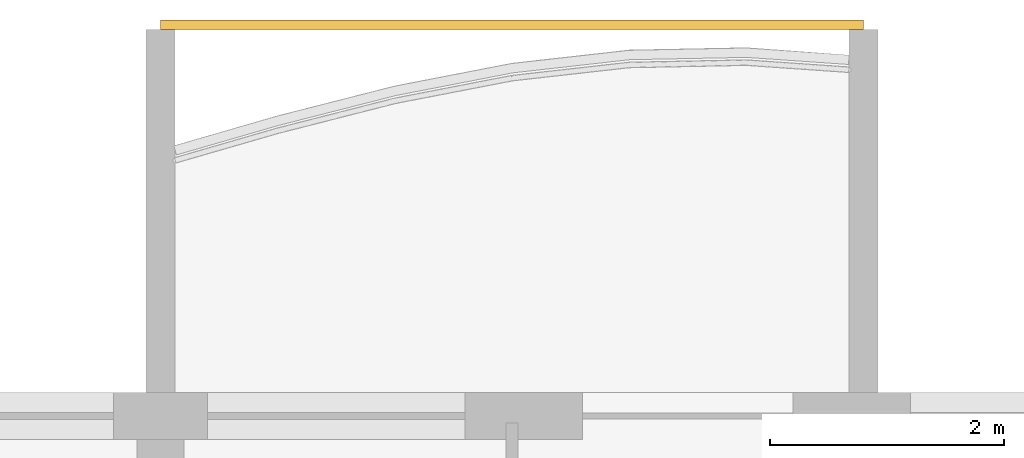
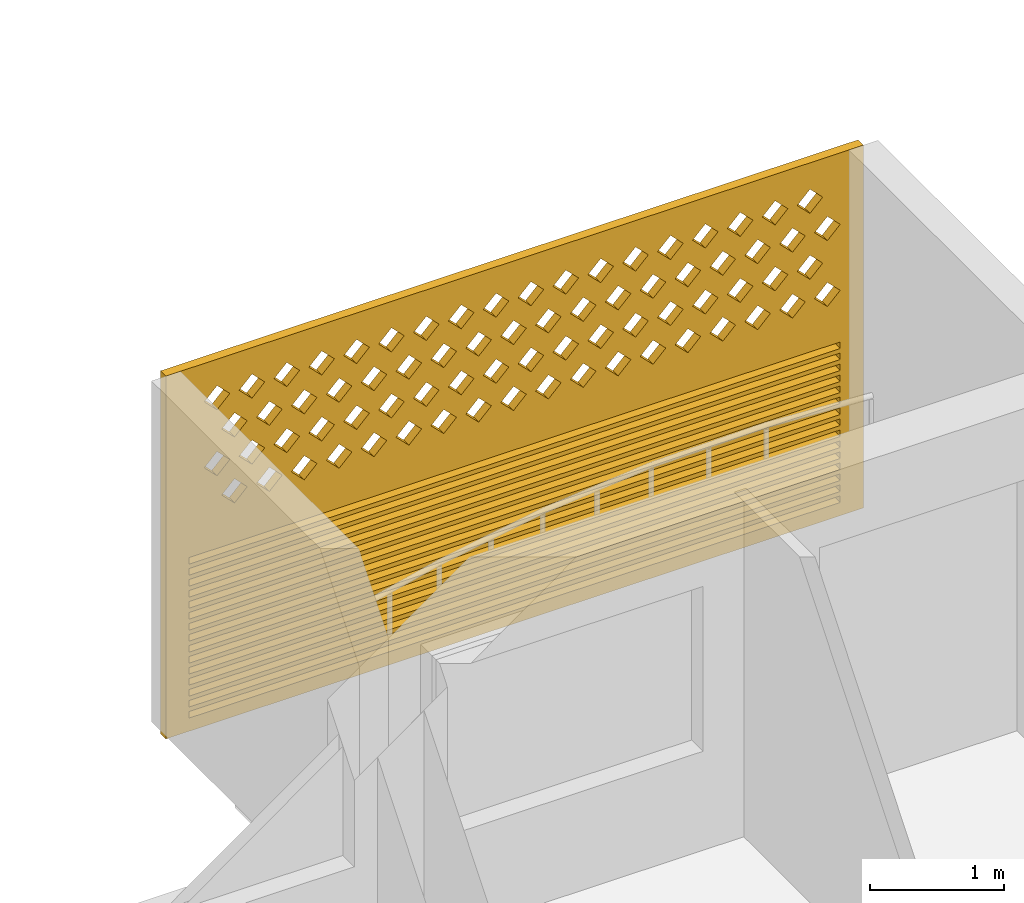
# One storey, part 25 of 40: 1 covering.
"""IFC4 building model written with IfcOpenShell, lengths in metres."""

import ifcopenshell
import ifcopenshell.guid

model = None  # the IFC model being written
_history = None  # IfcOwnerHistory: only IFC2X3 demands one
_inside = {}  # id of a spatial element -> (the spatial element, [elements in it])
_under = {}  # id of a project, library or spatial element -> (it, [spatial elements below it])
_declared = {}  # id of a project -> (the project, [libraries it declares])
_typed = {}  # id of a type object -> (the type object, [elements of that type])
_made_of = {}  # id of a material, layer set ... -> (it, [elements and type objects made of it])


def new_model(schema):
    """Start an empty IFC model of exactly this schema.

    Asked for "IFC4X3", IfcOpenShell would pick the latest addendum, in which some entities
    have other attributes; the version numbers below select the first issue.
    IFC2X3 requires an IfcOwnerHistory on every rooted entity: one is made here for all.
    """
    global model, _history
    if schema == "IFC4X3":
        model = ifcopenshell.file(schema_version=(4, 3, 0, 0))
    else:
        model = ifcopenshell.file(schema=schema)
    _inside.clear()
    _under.clear()
    _declared.clear()
    _typed.clear()
    _made_of.clear()
    _history = None
    if model.schema == "IFC2X3":
        org = make("IfcOrganization", Name="unknown")
        user = make(
            "IfcPersonAndOrganization",
            ThePerson=make("IfcPerson", FamilyName="unknown"),
            TheOrganization=org,
        )
        app = make(
            "IfcApplication",
            ApplicationDeveloper=org,
            Version="unknown",
            ApplicationFullName="unknown",
            ApplicationIdentifier="unknown",
        )
        _history = make(
            "IfcOwnerHistory",
            OwningUser=user,
            OwningApplication=app,
            ChangeAction="ADDED",
            CreationDate=0,
        )
    return model


def make(cls, **values):
    """One entity of the class cls with the attributes given. An attribute that is None is left unset."""
    return model.create_entity(
        cls, **{name: value for name, value in values.items() if value is not None}
    )


def rooted(cls, **values):
    """An entity with a GlobalId (a new one), such as an element, a storey or a relation."""
    return make(cls, GlobalId=ifcopenshell.guid.new(), OwnerHistory=_history, **values)


def si_unit(unit_type, name, prefix=None):
    """IfcSIUnit, for example si_unit("LENGTHUNIT", "METRE", prefix="MILLI")."""
    return make("IfcSIUnit", UnitType=unit_type, Prefix=prefix, Name=name)


def assignment(units):
    """IfcUnitAssignment: the units of a project."""
    return None if units is None else make("IfcUnitAssignment", Units=units)


def point(xyz):
    """IfcCartesianPoint."""
    return None if xyz is None else make("IfcCartesianPoint", Coordinates=xyz)


def direction(xyz):
    """IfcDirection."""
    return None if xyz is None else make("IfcDirection", DirectionRatios=xyz)


def frame(location, z_axis=None, x_axis=None):
    """IfcAxis2Placement3D, a coordinate frame: its origin and axes. An axis left out is left unset."""
    return make(
        "IfcAxis2Placement3D",
        Location=point(location),
        Axis=direction(z_axis),
        RefDirection=direction(x_axis),
    )


def origin():
    """The frame at (0, 0, 0) with its axes left unset."""
    return frame((0.0, 0.0, 0.0))


def place(relative_to, where):
    """IfcLocalPlacement: puts the frame where relative to a parent placement (None: the world)."""
    return make(
        "IfcLocalPlacement", PlacementRelTo=relative_to, RelativePlacement=where
    )


def context(
    kind, dimensions, precision=None, world=None, true_north=None, identifier=None
):
    """IfcGeometricRepresentationContext, for example the 3D "Model" context."""
    return make(
        "IfcGeometricRepresentationContext",
        ContextIdentifier=identifier,
        ContextType=kind,
        CoordinateSpaceDimension=dimensions,
        Precision=precision,
        WorldCoordinateSystem=world,
        TrueNorth=true_north,
    )


def subcontext(parent, identifier, kind, view, scale=None):
    """IfcGeometricRepresentationSubContext, for example "Body" below "Model"."""
    return make(
        "IfcGeometricRepresentationSubContext",
        ContextIdentifier=identifier,
        ContextType=kind,
        ParentContext=parent,
        TargetScale=scale,
        TargetView=view,
    )


def project(units=None, contexts=None):
    """IfcProject with its units and contexts."""
    return rooted(
        "IfcProject",
        Name="project",
        RepresentationContexts=contexts,
        UnitsInContext=assignment(units),
    )


def spatial(cls, under=None, at=None, **own):
    """A site, building, storey or space (cls), placed at a placement, below another one or the project."""
    s = rooted(cls, ObjectPlacement=at, **own)
    if under is not None:
        _under.setdefault(under.id(), (under, []))[1].append(s)
    return s


def polyline(points):
    """IfcPolyline through the points."""
    return make("IfcPolyline", Points=[point(p) for p in points])


def outline(outer, holes=None, kind="AREA"):
    """IfcArbitraryClosedProfileDef: a profile drawn as a closed curve; with holes, ...WithVoids."""
    if holes is None:
        return make("IfcArbitraryClosedProfileDef", ProfileType=kind, OuterCurve=outer)
    return make(
        "IfcArbitraryProfileDefWithVoids",
        ProfileType=kind,
        OuterCurve=outer,
        InnerCurves=holes,
    )


def extrude(swept, where, along, depth):
    """IfcExtrudedAreaSolid: the profile swept, set in the frame where, extruded along a direction by depth."""
    return make(
        "IfcExtrudedAreaSolid",
        SweptArea=swept,
        Position=where,
        ExtrudedDirection=direction(along),
        Depth=depth,
    )


def shape(context_of_items, identifier, shape_type, items):
    """IfcShapeRepresentation: the items that make up one representation, for example the "Body"."""
    return make(
        "IfcShapeRepresentation",
        ContextOfItems=context_of_items,
        RepresentationIdentifier=identifier,
        RepresentationType=shape_type,
        Items=items,
    )


def source(mapping_origin, context_of_items, identifier, shape_type, items):
    """IfcRepresentationMap: a shape defined once, which mapped items show again and again."""
    return make(
        "IfcRepresentationMap",
        MappingOrigin=mapping_origin,
        MappedRepresentation=shape(context_of_items, identifier, shape_type, items),
    )


def transform(
    local_origin,
    x_axis=None,
    y_axis=None,
    z_axis=None,
    scale=None,
    scale2=None,
    scale3=None,
    uniform=True,
):
    """IfcCartesianTransformationOperator3D, or its non-uniform kind. x_axis, y_axis, z_axis: its Axis1, 2, 3."""
    if uniform:
        return make(
            "IfcCartesianTransformationOperator3D",
            Axis1=direction(x_axis),
            Axis2=direction(y_axis),
            LocalOrigin=point(local_origin),
            Scale=scale,
            Axis3=direction(z_axis),
        )
    return make(
        "IfcCartesianTransformationOperator3DnonUniform",
        Axis1=direction(x_axis),
        Axis2=direction(y_axis),
        LocalOrigin=point(local_origin),
        Scale=scale,
        Axis3=direction(z_axis),
        Scale2=scale2,
        Scale3=scale3,
    )


def mapped(mapping_source, mapping_target):
    """IfcMappedItem: shows the shape of a source again, moved by a transform."""
    return make(
        "IfcMappedItem", MappingSource=mapping_source, MappingTarget=mapping_target
    )


def material(Name=None, Category=None):
    """IfcMaterial."""
    return make("IfcMaterial", Name=Name, Category=Category)


def material_profile(
    of_material, cross_section, Name=None, Category=None, Priority=None
):
    """IfcMaterialProfile: a cross section and its material."""
    return make(
        "IfcMaterialProfile",
        Name=Name,
        Material=of_material,
        Profile=cross_section,
        Priority=Priority,
        Category=Category,
    )


def profile_set(profiles, Name=None, composite=None):
    """IfcMaterialProfileSet."""
    return make(
        "IfcMaterialProfileSet",
        Name=Name,
        MaterialProfiles=profiles,
        CompositeProfile=composite,
    )


def made_of(thing, what):
    """Note that an element or type object is made of a material, layer set ...; save() writes the relation."""
    if what is not None:
        _made_of.setdefault(what.id(), (what, []))[1].append(thing)
    return thing


def type_object(cls, material=None, **own):
    """A type object (cls), such as IfcWallType, which elements share."""
    return made_of(rooted(cls, **own), material)


def element(
    cls,
    number,
    at=None,
    inside=None,
    cuts=None,
    type_object=None,
    material=None,
    context=None,
    identifier="Body",
    shape_type=None,
    held_by="IfcProductDefinitionShape",
    body=None,
    shapes=None,
    **own,
):
    """One element of the class cls, such as IfcWall. Its Tag is "e" and its number.

    at: its placement. inside: the storey or other place that contains it. cuts: it is an
    opening in that element (IfcRelVoidsElement). A single representation is given by context,
    identifier, shape_type and body (its items); several are given by shapes. held_by: the class
    of the entity that holds the representations. save() writes the other relations.
    """
    e = rooted(cls, Tag="e%d" % number, ObjectPlacement=at, **own)
    if body is not None:
        shapes = [shape(context, identifier, shape_type, body)]
    if shapes is not None:
        e.Representation = make(held_by, Representations=shapes)
    if inside is not None:
        _inside.setdefault(inside.id(), (inside, []))[1].append(e)
    if cuts is not None:
        rooted(
            "IfcRelVoidsElement", RelatingBuildingElement=cuts, RelatedOpeningElement=e
        )
    if type_object is not None:
        _typed.setdefault(type_object.id(), (type_object, []))[1].append(e)
    return made_of(e, material)


def aggregate(whole, parts):
    """IfcRelAggregates: a whole, such as a stair, and the parts it consists of."""
    return rooted("IfcRelAggregates", RelatingObject=whole, RelatedObjects=parts)


def save(model, path):
    """Write the relations noted so far, then the file.

    IfcRelAggregates (storeys below a building ...), IfcRelContainedInSpatialStructure (elements
    in a storey), IfcRelDefinesByType, IfcRelAssociatesMaterial and IfcRelDeclares: one each for
    every whole, place, type object, material and project.
    """
    for whole, parts in _under.values():
        aggregate(whole, parts)
    for where, things in _inside.values():
        rooted(
            "IfcRelContainedInSpatialStructure",
            RelatedElements=things,
            RelatingStructure=where,
        )
    for kind, things in _typed.values():
        rooted("IfcRelDefinesByType", RelatedObjects=things, RelatingType=kind)
    for what, things in _made_of.values():
        rooted("IfcRelAssociatesMaterial", RelatedObjects=things, RelatingMaterial=what)
    for by, libraries in _declared.values():
        rooted("IfcRelDeclares", RelatingContext=by, RelatedDefinitions=libraries)
    model.write(path)


model = new_model("IFC4")

# Units and contexts
model_context = context("Model", 3, precision=1e-05, world=origin(), true_north=direction((0.0, 1.0)))
body_context = subcontext(model_context, "Body", "Model", "MODEL_VIEW")
ifc_project = project(units=[si_unit("LENGTHUNIT", "METRE"), si_unit("AREAUNIT", "SQUARE_METRE"), si_unit("VOLUMEUNIT", "CUBIC_METRE"), si_unit("PLANEANGLEUNIT", "RADIAN"), si_unit("MASSUNIT", "GRAM", prefix="KILO")], contexts=[model_context])

# Site, building, storey
site_placement = place(None, origin())
site = spatial("IfcSite", under=ifc_project, at=site_placement, CompositionType="ELEMENT")
building_placement = place(site_placement, origin())
building = spatial("IfcBuilding", under=site, at=building_placement, Name="Poui Terraces", CompositionType="ELEMENT")
storey_placement = place(building_placement, frame((0.0, 0.0, 36.60009765625)))
storey = spatial("IfcBuildingStorey", under=building, at=storey_placement, Name="L09", CompositionType="ELEMENT", Elevation=36.60009765625)

# Covering
ifc_material = material(Name="Terracotta screen", Category="masonry")
ifc_material_profile = material_profile(ifc_material, outline(polyline([(-3.0, -1.64990234375), (3.0, -1.64990234375), (3.0, 1.64990234375), (-3.0, 1.64990234375), (-3.0, -1.64990234375)]), holes=[polyline([(-2.800048828125, 0.39990234375), (-2.68994140625, 0.2900390625), (-2.580078125, 0.39990234375), (-2.68994140625, 0.510009765625), (-2.800048828125, 0.39990234375)]), polyline([(-2.5, 0.39990234375), (-2.389892578125, 0.2900390625), (-2.280029296875, 0.39990234375), (-2.389892578125, 0.510009765625), (-2.5, 0.39990234375)]), polyline([(-2.199951171875, 0.39990234375), (-2.090087890625, 0.2900390625), (-1.97998046875, 0.39990234375), (-2.090087890625, 0.510009765625), (-2.199951171875, 0.39990234375)]), polyline([(-1.89990234375, 0.39990234375), (-1.7900390625, 0.2900390625), (-1.679931640625, 0.39990234375), (-1.7900390625, 0.510009765625), (-1.89990234375, 0.39990234375)]), polyline([(-1.60009765625, 0.39990234375), (-1.489990234375, 0.2900390625), (-1.3798828125, 0.39990234375), (-1.489990234375, 0.510009765625), (-1.60009765625, 0.39990234375)]), polyline([(-1.300048828125, 0.39990234375), (-1.18994140625, 0.2900390625), (-1.080078125, 0.39990234375), (-1.18994140625, 0.510009765625), (-1.300048828125, 0.39990234375)]), polyline([(-1.0, 0.39990234375), (-0.889892578125, 0.2900390625), (-0.780029296875, 0.39990234375), (-0.889892578125, 0.510009765625), (-1.0, 0.39990234375)]), polyline([(-0.699951171875, 0.39990234375), (-0.590087890625, 0.2900390625), (-0.47998046875, 0.39990234375), (-0.590087890625, 0.510009765625), (-0.699951171875, 0.39990234375)]), polyline([(-0.39990234375, 0.39990234375), (-0.2900390625, 0.2900390625), (-0.179931640625, 0.39990234375), (-0.2900390625, 0.510009765625), (-0.39990234375, 0.39990234375)]), polyline([(-0.10009765625, 0.39990234375), (0.010009765625, 0.2900390625), (0.1201171875, 0.39990234375), (0.010009765625, 0.510009765625), (-0.10009765625, 0.39990234375)]), polyline([(0.199951171875, 0.39990234375), (0.31005859375, 0.2900390625), (0.419921875, 0.39990234375), (0.31005859375, 0.510009765625), (0.199951171875, 0.39990234375)]), polyline([(0.5, 0.39990234375), (0.610107421875, 0.2900390625), (0.719970703125, 0.39990234375), (0.610107421875, 0.510009765625), (0.5, 0.39990234375)]), polyline([(0.800048828125, 0.39990234375), (0.909912109375, 0.2900390625), (1.02001953125, 0.39990234375), (0.909912109375, 0.510009765625), (0.800048828125, 0.39990234375)]), polyline([(1.10009765625, 0.39990234375), (1.2099609375, 0.2900390625), (1.320068359375, 0.39990234375), (1.2099609375, 0.510009765625), (1.10009765625, 0.39990234375)]), polyline([(1.39990234375, 0.39990234375), (1.510009765625, 0.2900390625), (1.6201171875, 0.39990234375), (1.510009765625, 0.510009765625), (1.39990234375, 0.39990234375)]), polyline([(1.699951171875, 0.39990234375), (1.81005859375, 0.2900390625), (1.919921875, 0.39990234375), (1.81005859375, 0.510009765625), (1.699951171875, 0.39990234375)]), polyline([(2.0, 0.39990234375), (2.110107421875, 0.2900390625), (2.219970703125, 0.39990234375), (2.110107421875, 0.510009765625), (2.0, 0.39990234375)]), polyline([(2.300048828125, 0.39990234375), (2.409912109375, 0.2900390625), (2.52001953125, 0.39990234375), (2.409912109375, 0.510009765625), (2.300048828125, 0.39990234375)]), polyline([(-2.64990234375, 0.699951171875), (-2.5400390625, 0.590087890625), (-2.429931640625, 0.699951171875), (-2.5400390625, 0.81005859375), (-2.64990234375, 0.699951171875)]), polyline([(-2.35009765625, 0.699951171875), (-2.239990234375, 0.590087890625), (-2.1298828125, 0.699951171875), (-2.239990234375, 0.81005859375), (-2.35009765625, 0.699951171875)]), polyline([(-2.050048828125, 0.699951171875), (-1.93994140625, 0.590087890625), (-1.830078125, 0.699951171875), (-1.93994140625, 0.81005859375), (-2.050048828125, 0.699951171875)]), polyline([(-1.75, 0.699951171875), (-1.639892578125, 0.590087890625), (-1.530029296875, 0.699951171875), (-1.639892578125, 0.81005859375), (-1.75, 0.699951171875)]), polyline([(-1.449951171875, 0.699951171875), (-1.340087890625, 0.590087890625), (-1.22998046875, 0.699951171875), (-1.340087890625, 0.81005859375), (-1.449951171875, 0.699951171875)]), polyline([(-1.14990234375, 0.699951171875), (-1.0400390625, 0.590087890625), (-0.929931640625, 0.699951171875), (-1.0400390625, 0.81005859375), (-1.14990234375, 0.699951171875)]), polyline([(-0.85009765625, 0.699951171875), (-0.739990234375, 0.590087890625), (-0.6298828125, 0.699951171875), (-0.739990234375, 0.81005859375), (-0.85009765625, 0.699951171875)]), polyline([(-0.550048828125, 0.699951171875), (-0.43994140625, 0.590087890625), (-0.330078125, 0.699951171875), (-0.43994140625, 0.81005859375), (-0.550048828125, 0.699951171875)]), polyline([(-0.25, 0.699951171875), (-0.139892578125, 0.590087890625), (-0.030029296875, 0.699951171875), (-0.139892578125, 0.81005859375), (-0.25, 0.699951171875)]), polyline([(0.050048828125, 0.699951171875), (0.159912109375, 0.590087890625), (0.27001953125, 0.699951171875), (0.159912109375, 0.81005859375), (0.050048828125, 0.699951171875)]), polyline([(0.35009765625, 0.699951171875), (0.4599609375, 0.590087890625), (0.570068359375, 0.699951171875), (0.4599609375, 0.81005859375), (0.35009765625, 0.699951171875)]), polyline([(0.64990234375, 0.699951171875), (0.760009765625, 0.590087890625), (0.8701171875, 0.699951171875), (0.760009765625, 0.81005859375), (0.64990234375, 0.699951171875)]), polyline([(0.949951171875, 0.699951171875), (1.06005859375, 0.590087890625), (1.169921875, 0.699951171875), (1.06005859375, 0.81005859375), (0.949951171875, 0.699951171875)]), polyline([(1.25, 0.699951171875), (1.360107421875, 0.590087890625), (1.469970703125, 0.699951171875), (1.360107421875, 0.81005859375), (1.25, 0.699951171875)]), polyline([(1.550048828125, 0.699951171875), (1.659912109375, 0.590087890625), (1.77001953125, 0.699951171875), (1.659912109375, 0.81005859375), (1.550048828125, 0.699951171875)]), polyline([(1.85009765625, 0.699951171875), (1.9599609375, 0.590087890625), (2.070068359375, 0.699951171875), (1.9599609375, 0.81005859375), (1.85009765625, 0.699951171875)]), polyline([(2.14990234375, 0.699951171875), (2.260009765625, 0.590087890625), (2.3701171875, 0.699951171875), (2.260009765625, 0.81005859375), (2.14990234375, 0.699951171875)]), polyline([(2.449951171875, 0.699951171875), (2.56005859375, 0.590087890625), (2.669921875, 0.699951171875), (2.56005859375, 0.81005859375), (2.449951171875, 0.699951171875)]), polyline([(-2.800048828125, 1.0), (-2.68994140625, 0.889892578125), (-2.580078125, 1.0), (-2.68994140625, 1.110107421875), (-2.800048828125, 1.0)]), polyline([(-2.5, 1.0), (-2.389892578125, 0.889892578125), (-2.280029296875, 1.0), (-2.389892578125, 1.110107421875), (-2.5, 1.0)]), polyline([(-2.199951171875, 1.0), (-2.090087890625, 0.889892578125), (-1.97998046875, 1.0), (-2.090087890625, 1.110107421875), (-2.199951171875, 1.0)]), polyline([(-1.89990234375, 1.0), (-1.7900390625, 0.889892578125), (-1.679931640625, 1.0), (-1.7900390625, 1.110107421875), (-1.89990234375, 1.0)]), polyline([(-1.60009765625, 1.0), (-1.489990234375, 0.889892578125), (-1.3798828125, 1.0), (-1.489990234375, 1.110107421875), (-1.60009765625, 1.0)]), polyline([(-1.300048828125, 1.0), (-1.18994140625, 0.889892578125), (-1.080078125, 1.0), (-1.18994140625, 1.110107421875), (-1.300048828125, 1.0)]), polyline([(-1.0, 1.0), (-0.889892578125, 0.889892578125), (-0.780029296875, 1.0), (-0.889892578125, 1.110107421875), (-1.0, 1.0)]), polyline([(-0.699951171875, 1.0), (-0.590087890625, 0.889892578125), (-0.47998046875, 1.0), (-0.590087890625, 1.110107421875), (-0.699951171875, 1.0)]), polyline([(-0.39990234375, 1.0), (-0.2900390625, 0.889892578125), (-0.179931640625, 1.0), (-0.2900390625, 1.110107421875), (-0.39990234375, 1.0)]), polyline([(-0.10009765625, 1.0), (0.010009765625, 0.889892578125), (0.1201171875, 1.0), (0.010009765625, 1.110107421875), (-0.10009765625, 1.0)]), polyline([(0.199951171875, 1.0), (0.31005859375, 0.889892578125), (0.419921875, 1.0), (0.31005859375, 1.110107421875), (0.199951171875, 1.0)]), polyline([(0.5, 1.0), (0.610107421875, 0.889892578125), (0.719970703125, 1.0), (0.610107421875, 1.110107421875), (0.5, 1.0)]), polyline([(0.800048828125, 1.0), (0.909912109375, 0.889892578125), (1.02001953125, 1.0), (0.909912109375, 1.110107421875), (0.800048828125, 1.0)]), polyline([(1.10009765625, 1.0), (1.2099609375, 0.889892578125), (1.320068359375, 1.0), (1.2099609375, 1.110107421875), (1.10009765625, 1.0)]), polyline([(1.39990234375, 1.0), (1.510009765625, 0.889892578125), (1.6201171875, 1.0), (1.510009765625, 1.110107421875), (1.39990234375, 1.0)]), polyline([(1.699951171875, 1.0), (1.81005859375, 0.889892578125), (1.919921875, 1.0), (1.81005859375, 1.110107421875), (1.699951171875, 1.0)]), polyline([(2.0, 1.0), (2.110107421875, 0.889892578125), (2.219970703125, 1.0), (2.110107421875, 1.110107421875), (2.0, 1.0)]), polyline([(2.300048828125, 1.0), (2.409912109375, 0.889892578125), (2.52001953125, 1.0), (2.409912109375, 1.110107421875), (2.300048828125, 1.0)]), polyline([(-2.64990234375, 1.300048828125), (-2.5400390625, 1.18994140625), (-2.429931640625, 1.300048828125), (-2.5400390625, 1.409912109375), (-2.64990234375, 1.300048828125)]), polyline([(-2.35009765625, 1.300048828125), (-2.239990234375, 1.18994140625), (-2.1298828125, 1.300048828125), (-2.239990234375, 1.409912109375), (-2.35009765625, 1.300048828125)]), polyline([(-2.050048828125, 1.300048828125), (-1.93994140625, 1.18994140625), (-1.830078125, 1.300048828125), (-1.93994140625, 1.409912109375), (-2.050048828125, 1.300048828125)]), polyline([(-1.75, 1.300048828125), (-1.639892578125, 1.18994140625), (-1.530029296875, 1.300048828125), (-1.639892578125, 1.409912109375), (-1.75, 1.300048828125)]), polyline([(-1.449951171875, 1.300048828125), (-1.340087890625, 1.18994140625), (-1.22998046875, 1.300048828125), (-1.340087890625, 1.409912109375), (-1.449951171875, 1.300048828125)]), polyline([(-1.14990234375, 1.300048828125), (-1.0400390625, 1.18994140625), (-0.929931640625, 1.300048828125), (-1.0400390625, 1.409912109375), (-1.14990234375, 1.300048828125)]), polyline([(-0.85009765625, 1.300048828125), (-0.739990234375, 1.18994140625), (-0.6298828125, 1.300048828125), (-0.739990234375, 1.409912109375), (-0.85009765625, 1.300048828125)]), polyline([(-0.550048828125, 1.300048828125), (-0.43994140625, 1.18994140625), (-0.330078125, 1.300048828125), (-0.43994140625, 1.409912109375), (-0.550048828125, 1.300048828125)]), polyline([(-0.25, 1.300048828125), (-0.139892578125, 1.18994140625), (-0.030029296875, 1.300048828125), (-0.139892578125, 1.409912109375), (-0.25, 1.300048828125)]), polyline([(0.050048828125, 1.300048828125), (0.159912109375, 1.18994140625), (0.27001953125, 1.300048828125), (0.159912109375, 1.409912109375), (0.050048828125, 1.300048828125)]), polyline([(0.35009765625, 1.300048828125), (0.4599609375, 1.18994140625), (0.570068359375, 1.300048828125), (0.4599609375, 1.409912109375), (0.35009765625, 1.300048828125)]), polyline([(0.64990234375, 1.300048828125), (0.760009765625, 1.18994140625), (0.8701171875, 1.300048828125), (0.760009765625, 1.409912109375), (0.64990234375, 1.300048828125)]), polyline([(0.949951171875, 1.300048828125), (1.06005859375, 1.18994140625), (1.169921875, 1.300048828125), (1.06005859375, 1.409912109375), (0.949951171875, 1.300048828125)]), polyline([(1.25, 1.300048828125), (1.360107421875, 1.18994140625), (1.469970703125, 1.300048828125), (1.360107421875, 1.409912109375), (1.25, 1.300048828125)]), polyline([(1.550048828125, 1.300048828125), (1.659912109375, 1.18994140625), (1.77001953125, 1.300048828125), (1.659912109375, 1.409912109375), (1.550048828125, 1.300048828125)]), polyline([(1.85009765625, 1.300048828125), (1.9599609375, 1.18994140625), (2.070068359375, 1.300048828125), (1.9599609375, 1.409912109375), (1.85009765625, 1.300048828125)]), polyline([(2.14990234375, 1.300048828125), (2.260009765625, 1.18994140625), (2.3701171875, 1.300048828125), (2.260009765625, 1.409912109375), (2.14990234375, 1.300048828125)]), polyline([(2.449951171875, 1.300048828125), (2.56005859375, 1.18994140625), (2.669921875, 1.300048828125), (2.56005859375, 1.409912109375), (2.449951171875, 1.300048828125)]), polyline([(-2.800048828125, -1.530029296875), (2.800048828125, -1.530029296875), (2.800048828125, -1.469970703125), (-2.800048828125, -1.469970703125), (-2.800048828125, -1.530029296875)]), polyline([(-2.800048828125, -1.429931640625), (2.800048828125, -1.429931640625), (2.800048828125, -1.3701171875), (-2.800048828125, -1.3701171875), (-2.800048828125, -1.429931640625)]), polyline([(-2.800048828125, -1.330078125), (2.800048828125, -1.330078125), (2.800048828125, -1.27001953125), (-2.800048828125, -1.27001953125), (-2.800048828125, -1.330078125)]), polyline([(-2.800048828125, -1.22998046875), (2.800048828125, -1.22998046875), (2.800048828125, -1.169921875), (-2.800048828125, -1.169921875), (-2.800048828125, -1.22998046875)]), polyline([(-2.800048828125, -1.1298828125), (2.800048828125, -1.1298828125), (2.800048828125, -1.070068359375), (-2.800048828125, -1.070068359375), (-2.800048828125, -1.1298828125)]), polyline([(-2.800048828125, -1.030029296875), (2.800048828125, -1.030029296875), (2.800048828125, -0.969970703125), (-2.800048828125, -0.969970703125), (-2.800048828125, -1.030029296875)]), polyline([(-2.800048828125, -0.929931640625), (2.800048828125, -0.929931640625), (2.800048828125, -0.8701171875), (-2.800048828125, -0.8701171875), (-2.800048828125, -0.929931640625)]), polyline([(-2.800048828125, -0.830078125), (2.800048828125, -0.830078125), (2.800048828125, -0.77001953125), (-2.800048828125, -0.77001953125), (-2.800048828125, -0.830078125)]), polyline([(-2.800048828125, -0.72998046875), (2.800048828125, -0.72998046875), (2.800048828125, -0.669921875), (-2.800048828125, -0.669921875), (-2.800048828125, -0.72998046875)]), polyline([(-2.800048828125, -0.6298828125), (2.800048828125, -0.6298828125), (2.800048828125, -0.570068359375), (-2.800048828125, -0.570068359375), (-2.800048828125, -0.6298828125)]), polyline([(-2.800048828125, -0.530029296875), (2.800048828125, -0.530029296875), (2.800048828125, -0.469970703125), (-2.800048828125, -0.469970703125), (-2.800048828125, -0.530029296875)]), polyline([(-2.800048828125, -0.429931640625), (2.800048828125, -0.429931640625), (2.800048828125, -0.3701171875), (-2.800048828125, -0.3701171875), (-2.800048828125, -0.429931640625)]), polyline([(-2.800048828125, -0.330078125), (2.800048828125, -0.330078125), (2.800048828125, -0.27001953125), (-2.800048828125, -0.27001953125), (-2.800048828125, -0.330078125)]), polyline([(-2.800048828125, -0.22998046875), (2.800048828125, -0.22998046875), (2.800048828125, -0.169921875), (-2.800048828125, -0.169921875), (-2.800048828125, -0.22998046875)]), polyline([(-2.800048828125, -0.1298828125), (2.800048828125, -0.1298828125), (2.800048828125, -0.070068359375), (-2.800048828125, -0.070068359375), (-2.800048828125, -0.1298828125)])]), Name="TERRACOTTA SCREEN AND JALOUSIE LOUVRE 6000X3300")
ifc_profile_set = profile_set([ifc_material_profile], Name="Terracotta screen")
covering_type = type_object("IfcCoveringType", Name="TERRACOTTA SCREEN AND JALOUSIE LOUVRE 6000X3300", PredefinedType="CLADDING", material=ifc_profile_set)
shared_shape = source(origin(), body_context, "Body", "SweptSolid", [
    extrude(outline(polyline([(-3.0, -1.64990234375), (3.0, -1.64990234375), (3.0, 1.64990234375), (-3.0, 1.64990234375), (-3.0, -1.64990234375)]), holes=[polyline([(-2.800048828125, 0.39990234375), (-2.68994140625, 0.2900390625), (-2.580078125, 0.39990234375), (-2.68994140625, 0.510009765625), (-2.800048828125, 0.39990234375)]), polyline([(-2.5, 0.39990234375), (-2.389892578125, 0.2900390625), (-2.280029296875, 0.39990234375), (-2.389892578125, 0.510009765625), (-2.5, 0.39990234375)]), polyline([(-2.199951171875, 0.39990234375), (-2.090087890625, 0.2900390625), (-1.97998046875, 0.39990234375), (-2.090087890625, 0.510009765625), (-2.199951171875, 0.39990234375)]), polyline([(-1.89990234375, 0.39990234375), (-1.7900390625, 0.2900390625), (-1.679931640625, 0.39990234375), (-1.7900390625, 0.510009765625), (-1.89990234375, 0.39990234375)]), polyline([(-1.60009765625, 0.39990234375), (-1.489990234375, 0.2900390625), (-1.3798828125, 0.39990234375), (-1.489990234375, 0.510009765625), (-1.60009765625, 0.39990234375)]), polyline([(-1.300048828125, 0.39990234375), (-1.18994140625, 0.2900390625), (-1.080078125, 0.39990234375), (-1.18994140625, 0.510009765625), (-1.300048828125, 0.39990234375)]), polyline([(-1.0, 0.39990234375), (-0.889892578125, 0.2900390625), (-0.780029296875, 0.39990234375), (-0.889892578125, 0.510009765625), (-1.0, 0.39990234375)]), polyline([(-0.699951171875, 0.39990234375), (-0.590087890625, 0.2900390625), (-0.47998046875, 0.39990234375), (-0.590087890625, 0.510009765625), (-0.699951171875, 0.39990234375)]), polyline([(-0.39990234375, 0.39990234375), (-0.2900390625, 0.2900390625), (-0.179931640625, 0.39990234375), (-0.2900390625, 0.510009765625), (-0.39990234375, 0.39990234375)]), polyline([(-0.10009765625, 0.39990234375), (0.010009765625, 0.2900390625), (0.1201171875, 0.39990234375), (0.010009765625, 0.510009765625), (-0.10009765625, 0.39990234375)]), polyline([(0.199951171875, 0.39990234375), (0.31005859375, 0.2900390625), (0.419921875, 0.39990234375), (0.31005859375, 0.510009765625), (0.199951171875, 0.39990234375)]), polyline([(0.5, 0.39990234375), (0.610107421875, 0.2900390625), (0.719970703125, 0.39990234375), (0.610107421875, 0.510009765625), (0.5, 0.39990234375)]), polyline([(0.800048828125, 0.39990234375), (0.909912109375, 0.2900390625), (1.02001953125, 0.39990234375), (0.909912109375, 0.510009765625), (0.800048828125, 0.39990234375)]), polyline([(1.10009765625, 0.39990234375), (1.2099609375, 0.2900390625), (1.320068359375, 0.39990234375), (1.2099609375, 0.510009765625), (1.10009765625, 0.39990234375)]), polyline([(1.39990234375, 0.39990234375), (1.510009765625, 0.2900390625), (1.6201171875, 0.39990234375), (1.510009765625, 0.510009765625), (1.39990234375, 0.39990234375)]), polyline([(1.699951171875, 0.39990234375), (1.81005859375, 0.2900390625), (1.919921875, 0.39990234375), (1.81005859375, 0.510009765625), (1.699951171875, 0.39990234375)]), polyline([(2.0, 0.39990234375), (2.110107421875, 0.2900390625), (2.219970703125, 0.39990234375), (2.110107421875, 0.510009765625), (2.0, 0.39990234375)]), polyline([(2.300048828125, 0.39990234375), (2.409912109375, 0.2900390625), (2.52001953125, 0.39990234375), (2.409912109375, 0.510009765625), (2.300048828125, 0.39990234375)]), polyline([(-2.64990234375, 0.699951171875), (-2.5400390625, 0.590087890625), (-2.429931640625, 0.699951171875), (-2.5400390625, 0.81005859375), (-2.64990234375, 0.699951171875)]), polyline([(-2.35009765625, 0.699951171875), (-2.239990234375, 0.590087890625), (-2.1298828125, 0.699951171875), (-2.239990234375, 0.81005859375), (-2.35009765625, 0.699951171875)]), polyline([(-2.050048828125, 0.699951171875), (-1.93994140625, 0.590087890625), (-1.830078125, 0.699951171875), (-1.93994140625, 0.81005859375), (-2.050048828125, 0.699951171875)]), polyline([(-1.75, 0.699951171875), (-1.639892578125, 0.590087890625), (-1.530029296875, 0.699951171875), (-1.639892578125, 0.81005859375), (-1.75, 0.699951171875)]), polyline([(-1.449951171875, 0.699951171875), (-1.340087890625, 0.590087890625), (-1.22998046875, 0.699951171875), (-1.340087890625, 0.81005859375), (-1.449951171875, 0.699951171875)]), polyline([(-1.14990234375, 0.699951171875), (-1.0400390625, 0.590087890625), (-0.929931640625, 0.699951171875), (-1.0400390625, 0.81005859375), (-1.14990234375, 0.699951171875)]), polyline([(-0.85009765625, 0.699951171875), (-0.739990234375, 0.590087890625), (-0.6298828125, 0.699951171875), (-0.739990234375, 0.81005859375), (-0.85009765625, 0.699951171875)]), polyline([(-0.550048828125, 0.699951171875), (-0.43994140625, 0.590087890625), (-0.330078125, 0.699951171875), (-0.43994140625, 0.81005859375), (-0.550048828125, 0.699951171875)]), polyline([(-0.25, 0.699951171875), (-0.139892578125, 0.590087890625), (-0.030029296875, 0.699951171875), (-0.139892578125, 0.81005859375), (-0.25, 0.699951171875)]), polyline([(0.050048828125, 0.699951171875), (0.159912109375, 0.590087890625), (0.27001953125, 0.699951171875), (0.159912109375, 0.81005859375), (0.050048828125, 0.699951171875)]), polyline([(0.35009765625, 0.699951171875), (0.4599609375, 0.590087890625), (0.570068359375, 0.699951171875), (0.4599609375, 0.81005859375), (0.35009765625, 0.699951171875)]), polyline([(0.64990234375, 0.699951171875), (0.760009765625, 0.590087890625), (0.8701171875, 0.699951171875), (0.760009765625, 0.81005859375), (0.64990234375, 0.699951171875)]), polyline([(0.949951171875, 0.699951171875), (1.06005859375, 0.590087890625), (1.169921875, 0.699951171875), (1.06005859375, 0.81005859375), (0.949951171875, 0.699951171875)]), polyline([(1.25, 0.699951171875), (1.360107421875, 0.590087890625), (1.469970703125, 0.699951171875), (1.360107421875, 0.81005859375), (1.25, 0.699951171875)]), polyline([(1.550048828125, 0.699951171875), (1.659912109375, 0.590087890625), (1.77001953125, 0.699951171875), (1.659912109375, 0.81005859375), (1.550048828125, 0.699951171875)]), polyline([(1.85009765625, 0.699951171875), (1.9599609375, 0.590087890625), (2.070068359375, 0.699951171875), (1.9599609375, 0.81005859375), (1.85009765625, 0.699951171875)]), polyline([(2.14990234375, 0.699951171875), (2.260009765625, 0.590087890625), (2.3701171875, 0.699951171875), (2.260009765625, 0.81005859375), (2.14990234375, 0.699951171875)]), polyline([(2.449951171875, 0.699951171875), (2.56005859375, 0.590087890625), (2.669921875, 0.699951171875), (2.56005859375, 0.81005859375), (2.449951171875, 0.699951171875)]), polyline([(-2.800048828125, 1.0), (-2.68994140625, 0.889892578125), (-2.580078125, 1.0), (-2.68994140625, 1.110107421875), (-2.800048828125, 1.0)]), polyline([(-2.5, 1.0), (-2.389892578125, 0.889892578125), (-2.280029296875, 1.0), (-2.389892578125, 1.110107421875), (-2.5, 1.0)]), polyline([(-2.199951171875, 1.0), (-2.090087890625, 0.889892578125), (-1.97998046875, 1.0), (-2.090087890625, 1.110107421875), (-2.199951171875, 1.0)]), polyline([(-1.89990234375, 1.0), (-1.7900390625, 0.889892578125), (-1.679931640625, 1.0), (-1.7900390625, 1.110107421875), (-1.89990234375, 1.0)]), polyline([(-1.60009765625, 1.0), (-1.489990234375, 0.889892578125), (-1.3798828125, 1.0), (-1.489990234375, 1.110107421875), (-1.60009765625, 1.0)]), polyline([(-1.300048828125, 1.0), (-1.18994140625, 0.889892578125), (-1.080078125, 1.0), (-1.18994140625, 1.110107421875), (-1.300048828125, 1.0)]), polyline([(-1.0, 1.0), (-0.889892578125, 0.889892578125), (-0.780029296875, 1.0), (-0.889892578125, 1.110107421875), (-1.0, 1.0)]), polyline([(-0.699951171875, 1.0), (-0.590087890625, 0.889892578125), (-0.47998046875, 1.0), (-0.590087890625, 1.110107421875), (-0.699951171875, 1.0)]), polyline([(-0.39990234375, 1.0), (-0.2900390625, 0.889892578125), (-0.179931640625, 1.0), (-0.2900390625, 1.110107421875), (-0.39990234375, 1.0)]), polyline([(-0.10009765625, 1.0), (0.010009765625, 0.889892578125), (0.1201171875, 1.0), (0.010009765625, 1.110107421875), (-0.10009765625, 1.0)]), polyline([(0.199951171875, 1.0), (0.31005859375, 0.889892578125), (0.419921875, 1.0), (0.31005859375, 1.110107421875), (0.199951171875, 1.0)]), polyline([(0.5, 1.0), (0.610107421875, 0.889892578125), (0.719970703125, 1.0), (0.610107421875, 1.110107421875), (0.5, 1.0)]), polyline([(0.800048828125, 1.0), (0.909912109375, 0.889892578125), (1.02001953125, 1.0), (0.909912109375, 1.110107421875), (0.800048828125, 1.0)]), polyline([(1.10009765625, 1.0), (1.2099609375, 0.889892578125), (1.320068359375, 1.0), (1.2099609375, 1.110107421875), (1.10009765625, 1.0)]), polyline([(1.39990234375, 1.0), (1.510009765625, 0.889892578125), (1.6201171875, 1.0), (1.510009765625, 1.110107421875), (1.39990234375, 1.0)]), polyline([(1.699951171875, 1.0), (1.81005859375, 0.889892578125), (1.919921875, 1.0), (1.81005859375, 1.110107421875), (1.699951171875, 1.0)]), polyline([(2.0, 1.0), (2.110107421875, 0.889892578125), (2.219970703125, 1.0), (2.110107421875, 1.110107421875), (2.0, 1.0)]), polyline([(2.300048828125, 1.0), (2.409912109375, 0.889892578125), (2.52001953125, 1.0), (2.409912109375, 1.110107421875), (2.300048828125, 1.0)]), polyline([(-2.64990234375, 1.300048828125), (-2.5400390625, 1.18994140625), (-2.429931640625, 1.300048828125), (-2.5400390625, 1.409912109375), (-2.64990234375, 1.300048828125)]), polyline([(-2.35009765625, 1.300048828125), (-2.239990234375, 1.18994140625), (-2.1298828125, 1.300048828125), (-2.239990234375, 1.409912109375), (-2.35009765625, 1.300048828125)]), polyline([(-2.050048828125, 1.300048828125), (-1.93994140625, 1.18994140625), (-1.830078125, 1.300048828125), (-1.93994140625, 1.409912109375), (-2.050048828125, 1.300048828125)]), polyline([(-1.75, 1.300048828125), (-1.639892578125, 1.18994140625), (-1.530029296875, 1.300048828125), (-1.639892578125, 1.409912109375), (-1.75, 1.300048828125)]), polyline([(-1.449951171875, 1.300048828125), (-1.340087890625, 1.18994140625), (-1.22998046875, 1.300048828125), (-1.340087890625, 1.409912109375), (-1.449951171875, 1.300048828125)]), polyline([(-1.14990234375, 1.300048828125), (-1.0400390625, 1.18994140625), (-0.929931640625, 1.300048828125), (-1.0400390625, 1.409912109375), (-1.14990234375, 1.300048828125)]), polyline([(-0.85009765625, 1.300048828125), (-0.739990234375, 1.18994140625), (-0.6298828125, 1.300048828125), (-0.739990234375, 1.409912109375), (-0.85009765625, 1.300048828125)]), polyline([(-0.550048828125, 1.300048828125), (-0.43994140625, 1.18994140625), (-0.330078125, 1.300048828125), (-0.43994140625, 1.409912109375), (-0.550048828125, 1.300048828125)]), polyline([(-0.25, 1.300048828125), (-0.139892578125, 1.18994140625), (-0.030029296875, 1.300048828125), (-0.139892578125, 1.409912109375), (-0.25, 1.300048828125)]), polyline([(0.050048828125, 1.300048828125), (0.159912109375, 1.18994140625), (0.27001953125, 1.300048828125), (0.159912109375, 1.409912109375), (0.050048828125, 1.300048828125)]), polyline([(0.35009765625, 1.300048828125), (0.4599609375, 1.18994140625), (0.570068359375, 1.300048828125), (0.4599609375, 1.409912109375), (0.35009765625, 1.300048828125)]), polyline([(0.64990234375, 1.300048828125), (0.760009765625, 1.18994140625), (0.8701171875, 1.300048828125), (0.760009765625, 1.409912109375), (0.64990234375, 1.300048828125)]), polyline([(0.949951171875, 1.300048828125), (1.06005859375, 1.18994140625), (1.169921875, 1.300048828125), (1.06005859375, 1.409912109375), (0.949951171875, 1.300048828125)]), polyline([(1.25, 1.300048828125), (1.360107421875, 1.18994140625), (1.469970703125, 1.300048828125), (1.360107421875, 1.409912109375), (1.25, 1.300048828125)]), polyline([(1.550048828125, 1.300048828125), (1.659912109375, 1.18994140625), (1.77001953125, 1.300048828125), (1.659912109375, 1.409912109375), (1.550048828125, 1.300048828125)]), polyline([(1.85009765625, 1.300048828125), (1.9599609375, 1.18994140625), (2.070068359375, 1.300048828125), (1.9599609375, 1.409912109375), (1.85009765625, 1.300048828125)]), polyline([(2.14990234375, 1.300048828125), (2.260009765625, 1.18994140625), (2.3701171875, 1.300048828125), (2.260009765625, 1.409912109375), (2.14990234375, 1.300048828125)]), polyline([(2.449951171875, 1.300048828125), (2.56005859375, 1.18994140625), (2.669921875, 1.300048828125), (2.56005859375, 1.409912109375), (2.449951171875, 1.300048828125)]), polyline([(-2.800048828125, -1.530029296875), (2.800048828125, -1.530029296875), (2.800048828125, -1.469970703125), (-2.800048828125, -1.469970703125), (-2.800048828125, -1.530029296875)]), polyline([(-2.800048828125, -1.429931640625), (2.800048828125, -1.429931640625), (2.800048828125, -1.3701171875), (-2.800048828125, -1.3701171875), (-2.800048828125, -1.429931640625)]), polyline([(-2.800048828125, -1.330078125), (2.800048828125, -1.330078125), (2.800048828125, -1.27001953125), (-2.800048828125, -1.27001953125), (-2.800048828125, -1.330078125)]), polyline([(-2.800048828125, -1.22998046875), (2.800048828125, -1.22998046875), (2.800048828125, -1.169921875), (-2.800048828125, -1.169921875), (-2.800048828125, -1.22998046875)]), polyline([(-2.800048828125, -1.1298828125), (2.800048828125, -1.1298828125), (2.800048828125, -1.070068359375), (-2.800048828125, -1.070068359375), (-2.800048828125, -1.1298828125)]), polyline([(-2.800048828125, -1.030029296875), (2.800048828125, -1.030029296875), (2.800048828125, -0.969970703125), (-2.800048828125, -0.969970703125), (-2.800048828125, -1.030029296875)]), polyline([(-2.800048828125, -0.929931640625), (2.800048828125, -0.929931640625), (2.800048828125, -0.8701171875), (-2.800048828125, -0.8701171875), (-2.800048828125, -0.929931640625)]), polyline([(-2.800048828125, -0.830078125), (2.800048828125, -0.830078125), (2.800048828125, -0.77001953125), (-2.800048828125, -0.77001953125), (-2.800048828125, -0.830078125)]), polyline([(-2.800048828125, -0.72998046875), (2.800048828125, -0.72998046875), (2.800048828125, -0.669921875), (-2.800048828125, -0.669921875), (-2.800048828125, -0.72998046875)]), polyline([(-2.800048828125, -0.6298828125), (2.800048828125, -0.6298828125), (2.800048828125, -0.570068359375), (-2.800048828125, -0.570068359375), (-2.800048828125, -0.6298828125)]), polyline([(-2.800048828125, -0.530029296875), (2.800048828125, -0.530029296875), (2.800048828125, -0.469970703125), (-2.800048828125, -0.469970703125), (-2.800048828125, -0.530029296875)]), polyline([(-2.800048828125, -0.429931640625), (2.800048828125, -0.429931640625), (2.800048828125, -0.3701171875), (-2.800048828125, -0.3701171875), (-2.800048828125, -0.429931640625)]), polyline([(-2.800048828125, -0.330078125), (2.800048828125, -0.330078125), (2.800048828125, -0.27001953125), (-2.800048828125, -0.27001953125), (-2.800048828125, -0.330078125)]), polyline([(-2.800048828125, -0.22998046875), (2.800048828125, -0.22998046875), (2.800048828125, -0.169921875), (-2.800048828125, -0.169921875), (-2.800048828125, -0.22998046875)]), polyline([(-2.800048828125, -0.1298828125), (2.800048828125, -0.1298828125), (2.800048828125, -0.070068359375), (-2.800048828125, -0.070068359375), (-2.800048828125, -0.1298828125)])]), origin(), (0.0, 0.0, 1.0), 0.079833984375),
])
covering_placement = place(storey_placement, frame((27.0, 48.10009765625, 1.449951171875), z_axis=(0.0, 1.0, 0.0), x_axis=(-1.0, 0.0, 0.0)))
element("IfcCovering", 1, at=covering_placement, inside=storey, type_object=covering_type, Name="SOLAR SCREEN AND JALOUSIE LOUVRE", PredefinedType="CLADDING", context=body_context, shape_type="MappedRepresentation", body=[
    mapped(shared_shape, transform((0.0, 0.0, 0.0))),
])

save(model, "model.ifc")
